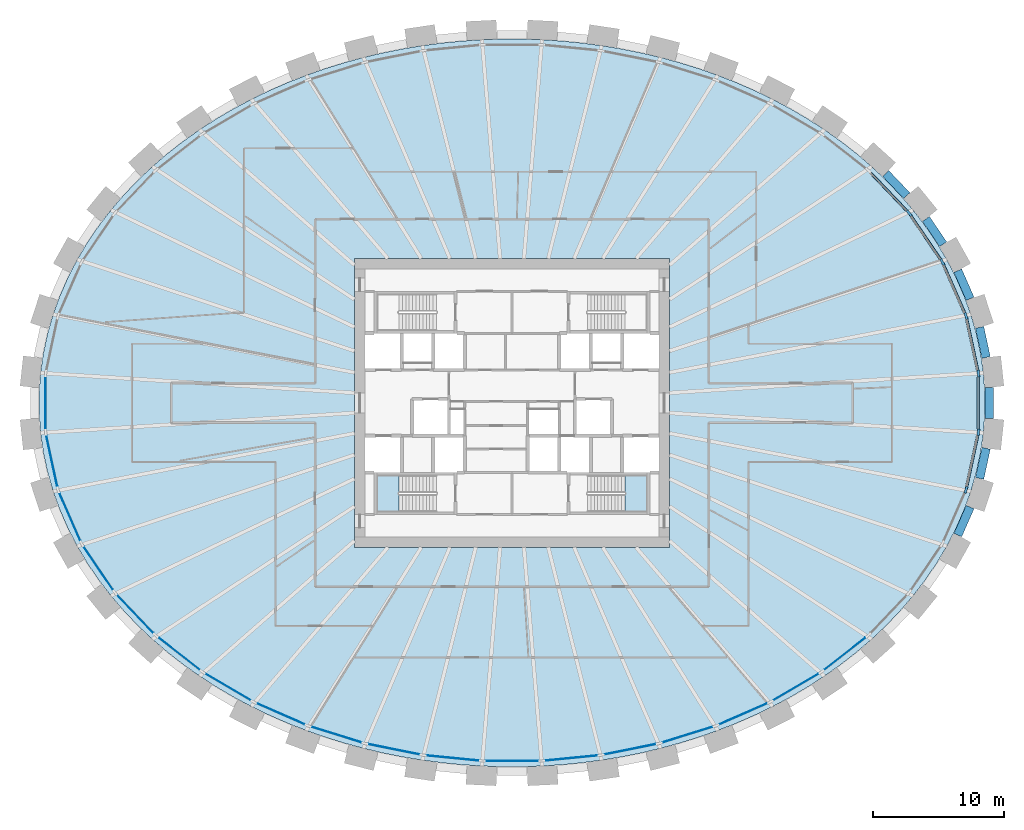
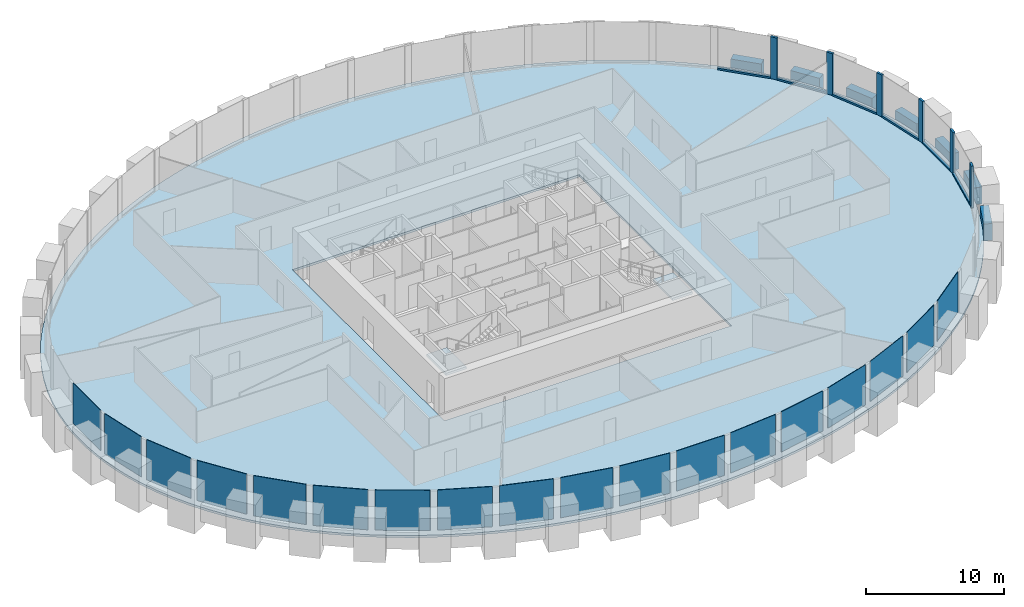
# One storey, part 4 of 11: 18 plates, 12 members, 7 beams, 3 slabs, 3 elements without a shape of their own.
"""IFC4 building model written with IfcOpenShell, lengths in metres."""

from ifc_helpers import new_model, si_unit, direction, frame, origin, origin_2d, place, context, subcontext, project, spatial, polyline, rectangle, outline, extrude, source, transform, mapped, material, layer, layer_set, material_profile, profile_set, type_object, element, aggregate, save


model = new_model("IFC4")

# Units and contexts
model_context = context("Model", 3, precision=1e-05, world=origin(), true_north=direction((0.0, 1.0)))
body_context = subcontext(model_context, "Body", "Model", "MODEL_VIEW")
ifc_project = project(units=[si_unit("LENGTHUNIT", "METRE"), si_unit("AREAUNIT", "SQUARE_METRE"), si_unit("VOLUMEUNIT", "CUBIC_METRE"), si_unit("PLANEANGLEUNIT", "RADIAN"), si_unit("MASSUNIT", "GRAM", prefix="KILO")], contexts=[model_context])

# Site, building, storey
site_placement = place(None, origin())
site = spatial("IfcSite", under=ifc_project, at=site_placement, CompositionType="ELEMENT")
building_placement = place(site_placement, origin())
building = spatial("IfcBuilding", under=site, at=building_placement, Name="Embergate Tower", CompositionType="ELEMENT")
storey_placement = place(building_placement, frame((0.0, 0.0, 187.199951171875)))
storey = spatial("IfcBuildingStorey", under=building, at=storey_placement, Name="L42", CompositionType="ELEMENT", Elevation=187.199951171875)

# Beams
ifc_material_1 = material(Name="Concrete C70", Category="concrete")
ifc_material_profile_1 = material_profile(ifc_material_1, rectangle(XDim=0.64990234375, YDim=1.5, at=origin_2d()), Name="RC 650x1500")
ifc_profile_set_1 = profile_set([ifc_material_profile_1], Name="Concrete C70")
beam_type = type_object("IfcBeamType", Name="Spandrel beam RC 650x1500 C70", PredefinedType="BEAM", material=ifc_profile_set_1)
shared_shape_1 = source(origin(), body_context, "Body", "SweptSolid", [
    extrude(rectangle(XDim=0.64990234375, YDim=1.5, at=origin_2d()), origin(), (0.0, 0.0, 1.0), 2.34375),
])
for number, where, z_axis, x_axis, name in (
    (1, (36.10791015625, 3.458984375, 0.0), (-0.210738330645, 0.977542508537, 0.0), (-0.977542508537, -0.210738330645, 0.0), "SPN-L42-00"),
    (2, (35.614013671875, -5.75, 0.0), (0.210738330645, 0.977542508537, 0.0), (-0.977542508537, 0.210738330645, 0.0), "SPN-L42-42"),
):
    element("IfcBeam", number, at=place(storey_placement, frame(where, z_axis=z_axis, x_axis=x_axis)), inside=storey, type_object=beam_type, Name=name, PredefinedType="BEAM", context=body_context, shape_type="MappedRepresentation", body=[
        mapped(shared_shape_1, transform((0.0, 0.0, 0.0))),
    ])
shared_shape_2 = source(origin(), body_context, "Body", "SweptSolid", [
    extrude(rectangle(XDim=0.64990234375, YDim=1.5, at=origin_2d()), origin(), (0.0, 0.0, 1.0), 2.3349609375),
])
for number, where, z_axis, x_axis, name in (
    (3, (34.887939453125, 7.931884765625, 0.0), (-0.401729187016, 0.915758516368, 0.0), (-0.915758516368, -0.401729187016, 0.0), "SPN-L42-01"),
    (4, (33.949951171875, -10.070068359375, 0.0), (0.401729187016, 0.915758516368, 0.0), (-0.915758516368, 0.401729187016, 0.0), "SPN-L42-41"),
):
    element("IfcBeam", number, at=place(storey_placement, frame(where, z_axis=z_axis, x_axis=x_axis)), inside=storey, type_object=beam_type, Name=name, PredefinedType="BEAM", context=body_context, shape_type="MappedRepresentation", body=[
        mapped(shared_shape_2, transform((0.0, 0.0, 0.0))),
    ])
shared_shape_3 = source(origin(), body_context, "Body", "SweptSolid", [
    extrude(rectangle(XDim=0.64990234375, YDim=1.5, at=origin_2d()), origin(), (0.0, 0.0, 1.0), 2.329345703125),
])
beam_1_placement = place(storey_placement, frame((32.8359375, 12.0830078125, 0.0), z_axis=(-0.562416089232, 0.826854366, 0.0), x_axis=(-0.826854366, -0.562416089232, 0.0)))
element("IfcBeam", 5, at=beam_1_placement, inside=storey, type_object=beam_type, Name="SPN-L42-02", PredefinedType="BEAM", context=body_context, shape_type="MappedRepresentation", body=[
    mapped(shared_shape_3, transform((0.0, 0.0, 0.0))),
])
shared_shape_4 = source(origin(), body_context, "Body", "SweptSolid", [
    extrude(rectangle(XDim=0.64990234375, YDim=1.5, at=origin_2d()), origin(), (0.0, 0.0, 1.0), 2.322265625),
])
beam_2_placement = place(storey_placement, frame((30.06591796875, 15.785888671875, 0.0), z_axis=(-0.690300694886, 0.723522598569, 0.0), x_axis=(-0.723522598569, -0.690300694886, 0.0)))
element("IfcBeam", 6, at=beam_2_placement, inside=storey, type_object=beam_type, Name="SPN-L42-03", PredefinedType="BEAM", context=body_context, shape_type="MappedRepresentation", body=[
    mapped(shared_shape_4, transform((0.0, 0.0, 0.0))),
])
shared_shape_5 = source(origin(), body_context, "Body", "SweptSolid", [
    extrude(rectangle(XDim=0.64990234375, YDim=1.5, at=origin_2d()), origin(), (0.0, 0.0, 1.0), 2.34423828125),
])
beam_3_placement = place(storey_placement, frame((36.35107421875, -1.172119140625, 0.0), z_axis=(0.0, 1.0, 0.0), x_axis=(-1.0, 0.0, 0.0)))
element("IfcBeam", 7, at=beam_3_placement, inside=storey, type_object=beam_type, Name="SPN-L42-43", PredefinedType="BEAM", context=body_context, shape_type="MappedRepresentation", body=[
    mapped(shared_shape_5, transform((0.0, 0.0, 0.0))),
])

# Curtain wall, members
ifc_material_2 = material(Name="Aluminium and glass", Category="aluminium")
curtain_wall_type = type_object("IfcCurtainWallType", Name="Recessed office glazing", PredefinedType="NOTDEFINED", material=ifc_material_2)
curtain_wall_placement = place(storey_placement, origin())
curtain_wall = element("IfcCurtainWall", 8, at=curtain_wall_placement, inside=storey, type_object=curtain_wall_type, Name="Recessed office glazing ring", ObjectType="RECESSED OFFICE GLAZING", PredefinedType="USERDEFINED")
ifc_material_3 = material(Name="Aluminium, thermally broken", Category="aluminium")
ifc_material_profile_2 = material_profile(ifc_material_3, rectangle(XDim=0.179931640625, YDim=0.52001953125, at=origin_2d()), Name="AL 520x180")
ifc_profile_set_2 = profile_set([ifc_material_profile_2], Name="Aluminium, thermally broken")
member_type_1 = type_object("IfcMemberType", Name="Office mullion", PredefinedType="MULLION", material=ifc_profile_set_2)
shared_shape_6 = source(origin(), body_context, "Body", "SweptSolid", [
    extrude(rectangle(XDim=0.179931640625, YDim=0.52001953125, at=origin_2d()), origin(), (0.0, 0.0, 1.0), 3.699951171875),
])
member_1_placement = place(storey_placement, frame((35.51806640625, 2.2392578125, 0.0), z_axis=(0.0, 0.0, 1.0), x_axis=(-0.994384954736, -0.105823257345, 0.0)))
member_1 = element("IfcMember", 9, at=member_1_placement, type_object=member_type_1, Name="CW mullion 1", PredefinedType="MULLION", context=body_context, shape_type="MappedRepresentation", body=[
    mapped(shared_shape_6, transform((0.0, 0.0, 0.0))),
])
member_2_placement = place(storey_placement, frame((34.5751953125, 6.6201171875, 0.0), z_axis=(0.0, 0.0, 1.0), x_axis=(-0.951497797992, -0.307655554826, 0.0)))
member_2 = element("IfcMember", 10, at=member_2_placement, type_object=member_type_1, Name="CW mullion 2", PredefinedType="MULLION", context=body_context, shape_type="MappedRepresentation", body=[
    mapped(shared_shape_6, transform((0.0, 0.0, 0.0))),
])
member_3_placement = place(storey_placement, frame((32.7724609375, 10.73046875, 0.0), z_axis=(0.0, 0.0, 1.0), x_axis=(-0.875002740779, -0.484117964581, 0.0)))
member_3 = element("IfcMember", 11, at=member_3_placement, type_object=member_type_1, Name="CW mullion 3", PredefinedType="MULLION", context=body_context, shape_type="MappedRepresentation", body=[
    mapped(shared_shape_6, transform((0.0, 0.0, 0.0))),
])
member_4_placement = place(storey_placement, frame((30.24365234375, 14.448974609375, 0.0), z_axis=(0.0, 0.0, 1.0), x_axis=(-0.777873661157, -0.62842069291, 0.0)))
member_4 = element("IfcMember", 12, at=member_4_placement, type_object=member_type_1, Name="CW mullion 4", PredefinedType="MULLION", context=body_context, shape_type="MappedRepresentation", body=[
    mapped(shared_shape_6, transform((0.0, 0.0, 0.0))),
])
member_5_placement = place(storey_placement, frame((34.5751953125, -6.6201171875, 0.0), z_axis=(0.0, 0.0, 1.0), x_axis=(-0.951497797992, 0.307655554826, 0.0)))
member_5 = element("IfcMember", 13, at=member_5_placement, type_object=member_type_1, Name="CW mullion 43", PredefinedType="MULLION", context=body_context, shape_type="MappedRepresentation", body=[
    mapped(shared_shape_6, transform((0.0, 0.0, 0.0))),
])
member_6_placement = place(storey_placement, frame((35.51806640625, -2.2392578125, 0.0), z_axis=(0.0, 0.0, 1.0), x_axis=(-0.994384954736, 0.105823257345, 0.0)))
member_6 = element("IfcMember", 14, at=member_6_placement, type_object=member_type_1, Name="CW mullion 44", PredefinedType="MULLION", context=body_context, shape_type="MappedRepresentation", body=[
    mapped(shared_shape_6, transform((0.0, 0.0, 0.0))),
])
ifc_material_profile_3 = material_profile(ifc_material_3, rectangle(XDim=0.179931640625, YDim=0.14990234375, at=origin_2d()), Name="AL 150x180")
ifc_profile_set_3 = profile_set([ifc_material_profile_3], Name="Aluminium, thermally broken")
member_type_2 = type_object("IfcMemberType", Name="Office sill transom", PredefinedType="USERDEFINED", material=ifc_profile_set_3)
shared_shape_7 = source(origin(), body_context, "Body", "SweptSolid", [
    extrude(rectangle(XDim=0.179931640625, YDim=0.14990234375, at=origin_2d()), origin(), (0.0, 0.0, 1.0), 3.96142578125),
])
member_7_placement = place(storey_placement, frame((35.46337890625, 2.493408203125, 0.074951171875), z_axis=(-0.210400224287, 0.977615336224, 0.0), x_axis=(-0.977615336224, -0.210400224287, 0.0)))
member_7 = element("IfcMember", 15, at=member_7_placement, type_object=member_type_2, Name="CW transom 1.1", ObjectType="TRANSOM", PredefinedType="USERDEFINED", context=body_context, shape_type="MappedRepresentation", body=[
    mapped(shared_shape_7, transform((0.0, 0.0, 0.0))),
])
member_8_placement = place(storey_placement, frame((34.6298828125, -6.3662109375, 0.074951171875), z_axis=(0.210400224287, 0.977615336224, 0.0), x_axis=(-0.977615336224, 0.210400224287, 0.0)))
member_8 = element("IfcMember", 16, at=member_8_placement, type_object=member_type_2, Name="CW transom 43.1", ObjectType="TRANSOM", PredefinedType="USERDEFINED", context=body_context, shape_type="MappedRepresentation", body=[
    mapped(shared_shape_7, transform((0.0, 0.0, 0.0))),
])
shared_shape_8 = source(origin(), body_context, "Body", "SweptSolid", [
    extrude(rectangle(XDim=0.179931640625, YDim=0.14990234375, at=origin_2d()), origin(), (0.0, 0.0, 1.0), 3.968017578125),
])
member_9_placement = place(storey_placement, frame((34.470703125, 6.8583984375, 0.074951171875), z_axis=(-0.401657873891, 0.915789797028, 0.0), x_axis=(-0.915789797028, -0.401657873891, 0.0)))
member_9 = element("IfcMember", 17, at=member_9_placement, type_object=member_type_2, Name="CW transom 2.1", ObjectType="TRANSOM", PredefinedType="USERDEFINED", context=body_context, shape_type="MappedRepresentation", body=[
    mapped(shared_shape_8, transform((0.0, 0.0, 0.0))),
])
shared_shape_9 = source(origin(), body_context, "Body", "SweptSolid", [
    extrude(rectangle(XDim=0.179931640625, YDim=0.14990234375, at=origin_2d()), origin(), (0.0, 0.0, 1.0), 3.976806640625),
])
member_10_placement = place(storey_placement, frame((32.626220703125, 10.9453125, 0.074951171875), z_axis=(-0.5623268127, 0.826915083741, 0.0), x_axis=(-0.826915083741, -0.5623268127, 0.0)))
member_10 = element("IfcMember", 18, at=member_10_placement, type_object=member_type_2, Name="CW transom 3.1", ObjectType="TRANSOM", PredefinedType="USERDEFINED", context=body_context, shape_type="MappedRepresentation", body=[
    mapped(shared_shape_9, transform((0.0, 0.0, 0.0))),
])
shared_shape_10 = source(origin(), body_context, "Body", "SweptSolid", [
    extrude(rectangle(XDim=0.179931640625, YDim=0.14990234375, at=origin_2d()), origin(), (0.0, 0.0, 1.0), 3.985595703125),
])
member_11_placement = place(storey_placement, frame((30.064208984375, 14.63720703125, 0.074951171875), z_axis=(-0.690123088355, 0.723692008329, 0.0), x_axis=(-0.723692008329, -0.690123088355, 0.0)))
member_11 = element("IfcMember", 19, at=member_11_placement, type_object=member_type_2, Name="CW transom 4.1", ObjectType="TRANSOM", PredefinedType="USERDEFINED", context=body_context, shape_type="MappedRepresentation", body=[
    mapped(shared_shape_10, transform((0.0, 0.0, 0.0))),
])
shared_shape_11 = source(origin(), body_context, "Body", "SweptSolid", [
    extrude(rectangle(XDim=0.179931640625, YDim=0.14990234375, at=origin_2d()), origin(), (0.0, 0.0, 1.0), 3.95849609375),
])
member_12_placement = place(storey_placement, frame((35.51806640625, -1.979248046875, 0.074951171875), z_axis=(0.0, 1.0, 0.0), x_axis=(-1.0, 0.0, 0.0)))
member_12 = element("IfcMember", 20, at=member_12_placement, type_object=member_type_2, Name="CW transom 44.1", ObjectType="TRANSOM", PredefinedType="USERDEFINED", context=body_context, shape_type="MappedRepresentation", body=[
    mapped(shared_shape_11, transform((0.0, 0.0, 0.0))),
])

# Slab
ifc_material_4 = material(Name="Concrete C40", Category="concrete")
ifc_layer_1 = layer(ifc_material_4, 0.199951171875)
ifc_layer_set_1 = layer_set([ifc_layer_1], Name="Concrete C40")
slab_type_1 = type_object("IfcSlabType", Name="Composite floor slab C40 200", PredefinedType="FLOOR", material=ifc_layer_set_1)
shared_shape_12 = source(origin(), body_context, "Body", "SweptSolid", [
    extrude(outline(polyline([(0.0, 0.0), (1.52392578125, 0.0), (3.0458984375, 0.050048828125), (4.570068359375, 0.14892578125), (6.0859375, 0.298095703125), (7.593017578125, 0.4970703125), (9.10205078125, 0.7470703125), (10.596923828125, 1.0458984375), (12.072021484375, 1.39501953125), (13.552001953125, 1.799072265625), (15.005859375, 2.251953125), (16.43408203125, 2.7529296875), (17.864013671875, 3.31494140625), (19.260009765625, 3.926025390625), (20.619873046875, 4.583984375), (21.97802734375, 5.30908203125), (23.291015625, 6.0810546875), (24.556884765625, 6.89892578125), (25.81494140625, 7.791015625), (27.014892578125, 8.72802734375), (28.156982421875, 9.708984375), (29.278076171875, 10.77001953125), (30.328857421875, 11.8720703125), (31.307861328125, 13.012939453125), (32.2470703125, 14.237060546875), (33.10400390625, 15.49609375), (33.875, 16.7880859375), (34.58203125, 18.155029296875), (35.19384765625, 19.550048828125), (35.7080078125, 20.967041015625), (36.133056640625, 22.43896484375), (36.452880859375, 23.927978515625), (36.66796875, 25.427001953125), (36.77587890625, 26.947021484375), (36.77587890625, 28.468994140625), (36.66796875, 29.989013671875), (36.452880859375, 31.488037109375), (36.133056640625, 32.97705078125), (35.7080078125, 34.448974609375), (35.19384765625, 35.865966796875), (34.58203125, 37.260986328125), (33.875, 38.6279296875), (33.10400390625, 39.919921875), (32.2470703125, 41.178955078125), (31.307861328125, 42.403076171875), (30.328857421875, 43.5439453125), (29.278076171875, 44.64599609375), (28.156982421875, 45.70703125), (27.014892578125, 46.68798828125), (25.81494140625, 47.625), (24.556884765625, 48.51708984375), (23.291015625, 49.3349609375), (21.97802734375, 50.10693359375), (20.619873046875, 50.83203125), (19.260009765625, 51.489990234375), (17.864013671875, 52.10107421875), (16.43408203125, 52.6630859375), (15.005859375, 53.1640625), (13.552001953125, 53.616943359375), (12.072021484375, 54.02099609375), (10.596923828125, 54.3701171875), (9.10205078125, 54.6689453125), (7.593017578125, 54.9189453125), (6.0859375, 55.117919921875), (4.570068359375, 55.26708984375), (3.0458984375, 55.365966796875), (1.52392578125, 55.416015625), (0.0, 55.416015625), (-1.52197265625, 55.365966796875), (-3.046142578125, 55.26708984375), (-4.56201171875, 55.117919921875), (-6.069091796875, 54.9189453125), (-7.578125, 54.6689453125), (-9.072998046875, 54.3701171875), (-10.548095703125, 54.02099609375), (-12.028076171875, 53.616943359375), (-13.48193359375, 53.1640625), (-14.91015625, 52.6630859375), (-16.340087890625, 52.10107421875), (-17.736083984375, 51.489990234375), (-19.095947265625, 50.83203125), (-20.4541015625, 50.10693359375), (-21.76708984375, 49.3349609375), (-23.032958984375, 48.51708984375), (-24.291015625, 47.625), (-25.490966796875, 46.68798828125), (-26.633056640625, 45.70703125), (-27.754150390625, 44.64599609375), (-28.804931640625, 43.5439453125), (-29.783935546875, 42.403076171875), (-30.72314453125, 41.178955078125), (-31.580078125, 39.919921875), (-32.35107421875, 38.6279296875), (-33.05810546875, 37.260986328125), (-33.669921875, 35.865966796875), (-34.18408203125, 34.448974609375), (-34.609130859375, 32.97705078125), (-34.928955078125, 31.488037109375), (-35.14404296875, 29.989013671875), (-35.251953125, 28.468994140625), (-35.251953125, 26.947021484375), (-35.14404296875, 25.427001953125), (-34.928955078125, 23.927978515625), (-34.609130859375, 22.43896484375), (-34.18408203125, 20.967041015625), (-33.669921875, 19.550048828125), (-33.05810546875, 18.155029296875), (-32.35107421875, 16.7880859375), (-31.580078125, 15.49609375), (-30.72314453125, 14.237060546875), (-29.783935546875, 13.012939453125), (-28.804931640625, 11.8720703125), (-27.754150390625, 10.77001953125), (-26.633056640625, 9.708984375), (-25.490966796875, 8.72802734375), (-24.291015625, 7.791015625), (-23.032958984375, 6.89892578125), (-21.76708984375, 6.0810546875), (-20.4541015625, 5.30908203125), (-19.095947265625, 4.583984375), (-17.736083984375, 3.926025390625), (-16.340087890625, 3.31494140625), (-14.91015625, 2.7529296875), (-13.48193359375, 2.251953125), (-12.028076171875, 1.799072265625), (-10.548095703125, 1.39501953125), (-9.072998046875, 1.0458984375), (-7.578125, 0.7470703125), (-6.069091796875, 0.4970703125), (-4.56201171875, 0.298095703125), (-3.046142578125, 0.14892578125), (-1.52197265625, 0.050048828125), (0.0, 0.0)]), holes=[polyline([(-11.238037109375, 16.7080078125), (-11.238037109375, 38.7080078125), (12.761962890625, 38.7080078125), (12.761962890625, 16.7080078125), (-11.238037109375, 16.7080078125)])]), origin(), (0.0, 0.0, 1.0), 0.199951171875),
])
slab_1_placement = place(storey_placement, frame((-0.761962890625, -27.7080078125, -0.199951171875)))
element("IfcSlab", 21, at=slab_1_placement, inside=storey, type_object=slab_type_1, Name="SLB-L42-00", PredefinedType="FLOOR", context=body_context, shape_type="MappedRepresentation", body=[
    mapped(shared_shape_12, transform((0.0, 0.0, 0.0))),
])

# Plate
ifc_material_5 = material(Name="Triple glazing, low-emissivity coating", Category="glass")
ifc_layer_2 = layer(ifc_material_5, 0.035888671875)
ifc_layer_set_2 = layer_set([ifc_layer_2], Name="Triple glazing, low-emissivity coating")
plate_type = type_object("IfcPlateType", Name="Office glazing unit", PredefinedType="CURTAIN_PANEL", material=ifc_layer_set_2)
shared_shape_13 = source(origin(), body_context, "Body", "SweptSolid", [
    extrude(rectangle(XDim=3.961181640625, YDim=0.035888671875, at=origin_2d()), origin(), (0.0, 0.0, 1.0), 3.550048828125),
])
plate_1_placement = place(storey_placement, frame((-35.046630859375, -4.4296875, 0.14990234375), z_axis=(0.0, 0.0, 1.0), x_axis=(0.210396684915, -0.977616097953, 0.0)))
plate_1 = element("IfcPlate", 22, at=plate_1_placement, type_object=plate_type, Name="CW panel 23.1", PredefinedType="CURTAIN_PANEL", context=body_context, shape_type="MappedRepresentation", body=[
    mapped(shared_shape_13, transform((0.0, 0.0, 0.0))),
])

shared_shape_14 = source(origin(), body_context, "Body", "SweptSolid", [
    extrude(rectangle(XDim=3.96826171875, YDim=0.035888671875, at=origin_2d()), origin(), (0.0, 0.0, 1.0), 3.550048828125),
])
plate_2_placement = place(storey_placement, frame((-33.673828125, -8.67529296875, 0.14990234375), z_axis=(0.0, 0.0, 1.0), x_axis=(0.401650502798, -0.915793029894, 0.0)))
plate_2 = element("IfcPlate", 23, at=plate_2_placement, type_object=plate_type, Name="CW panel 24.1", PredefinedType="CURTAIN_PANEL", context=body_context, shape_type="MappedRepresentation", body=[
    mapped(shared_shape_14, transform((0.0, 0.0, 0.0))),
])

shared_shape_15 = source(origin(), body_context, "Body", "SweptSolid", [
    extrude(rectangle(XDim=3.976806640625, YDim=0.035888671875, at=origin_2d()), origin(), (0.0, 0.0, 1.0), 3.550048828125),
])
plate_3_placement = place(storey_placement, frame((-31.508056640625, -12.589599609375, 0.14990234375), z_axis=(0.0, 0.0, 1.0), x_axis=(0.562340298693, -0.826905912705, 0.0)))
plate_3 = element("IfcPlate", 24, at=plate_3_placement, type_object=plate_type, Name="CW panel 25.1", PredefinedType="CURTAIN_PANEL", context=body_context, shape_type="MappedRepresentation", body=[
    mapped(shared_shape_15, transform((0.0, 0.0, 0.0))),
])

shared_shape_16 = source(origin(), body_context, "Body", "SweptSolid", [
    extrude(rectangle(XDim=3.985595703125, YDim=0.035888671875, at=origin_2d()), origin(), (0.0, 0.0, 1.0), 3.550048828125),
])
plate_4_placement = place(storey_placement, frame((-28.68896484375, -16.079345703125, 0.14990234375), z_axis=(0.0, 0.0, 1.0), x_axis=(0.6901325214, -0.723683012724, 0.0)))
plate_4 = element("IfcPlate", 25, at=plate_4_placement, type_object=plate_type, Name="CW panel 26.1", PredefinedType="CURTAIN_PANEL", context=body_context, shape_type="MappedRepresentation", body=[
    mapped(shared_shape_16, transform((0.0, 0.0, 0.0))),
])

shared_shape_17 = source(origin(), body_context, "Body", "SweptSolid", [
    extrude(rectangle(XDim=3.992919921875, YDim=0.035888671875, at=origin_2d()), origin(), (0.0, 0.0, 1.0), 3.550048828125),
])
plate_5_placement = place(storey_placement, frame((-25.35546875, -19.097900390625, 0.14990234375), z_axis=(0.0, 0.0, 1.0), x_axis=(0.788317971569, -0.615268051911, 0.0)))
plate_5 = element("IfcPlate", 26, at=plate_5_placement, type_object=plate_type, Name="CW panel 27.1", PredefinedType="CURTAIN_PANEL", context=body_context, shape_type="MappedRepresentation", body=[
    mapped(shared_shape_17, transform((0.0, 0.0, 0.0))),
])

plate_6_placement = place(storey_placement, frame((25.35546875, -19.097900390625, 0.14990234375), z_axis=(0.0, 0.0, 1.0), x_axis=(0.788317971569, 0.615268051911, 0.0)))
plate_6 = element("IfcPlate", 27, at=plate_6_placement, type_object=plate_type, Name="CW panel 39.1", PredefinedType="CURTAIN_PANEL", context=body_context, shape_type="MappedRepresentation", body=[
    mapped(shared_shape_17, transform((0.0, 0.0, 0.0))),
])

shared_shape_18 = source(origin(), body_context, "Body", "SweptSolid", [
    extrude(rectangle(XDim=3.9990234375, YDim=0.035888671875, at=origin_2d()), origin(), (0.0, 0.0, 1.0), 3.550048828125),
])
plate_7_placement = place(storey_placement, frame((-21.62890625, -21.631591796875, 0.14990234375), z_axis=(0.0, 0.0, 1.0), x_axis=(0.862051398678, -0.50682086188, 0.0)))
plate_7 = element("IfcPlate", 28, at=plate_7_placement, type_object=plate_type, Name="CW panel 28.1", PredefinedType="CURTAIN_PANEL", context=body_context, shape_type="MappedRepresentation", body=[
    mapped(shared_shape_18, transform((0.0, 0.0, 0.0))),
])

plate_8_placement = place(storey_placement, frame((21.62890625, -21.631591796875, 0.14990234375), z_axis=(0.0, 0.0, 1.0), x_axis=(0.862051398678, 0.50682086188, 0.0)))
plate_8 = element("IfcPlate", 29, at=plate_8_placement, type_object=plate_type, Name="CW panel 38.1", PredefinedType="CURTAIN_PANEL", context=body_context, shape_type="MappedRepresentation", body=[
    mapped(shared_shape_18, transform((0.0, 0.0, 0.0))),
])

shared_shape_19 = source(origin(), body_context, "Body", "SweptSolid", [
    extrude(rectangle(XDim=4.00341796875, YDim=0.035888671875, at=origin_2d()), origin(), (0.0, 0.0, 1.0), 3.550048828125),
])
plate_9_placement = place(storey_placement, frame((-17.608642578125, -23.682861328125, 0.14990234375), z_axis=(0.0, 0.0, 1.0), x_axis=(0.916234813243, -0.400641694037, 0.0)))
plate_9 = element("IfcPlate", 30, at=plate_9_placement, type_object=plate_type, Name="CW panel 29.1", PredefinedType="CURTAIN_PANEL", context=body_context, shape_type="MappedRepresentation", body=[
    mapped(shared_shape_19, transform((0.0, 0.0, 0.0))),
])

plate_10_placement = place(storey_placement, frame((17.608642578125, -23.682861328125, 0.14990234375), z_axis=(0.0, 0.0, 1.0), x_axis=(0.916234813243, 0.400641694037, 0.0)))
plate_10 = element("IfcPlate", 31, at=plate_10_placement, type_object=plate_type, Name="CW panel 37.1", PredefinedType="CURTAIN_PANEL", context=body_context, shape_type="MappedRepresentation", body=[
    mapped(shared_shape_19, transform((0.0, 0.0, 0.0))),
])

shared_shape_20 = source(origin(), body_context, "Body", "SweptSolid", [
    extrude(rectangle(XDim=4.0068359375, YDim=0.035888671875, at=origin_2d()), origin(), (0.0, 0.0, 1.0), 3.550048828125),
])
plate_11_placement = place(storey_placement, frame((-13.37548828125, -25.261962890625, 0.14990234375), z_axis=(0.0, 0.0, 1.0), x_axis=(0.954771179262, -0.297341546458, 0.0)))
plate_11 = element("IfcPlate", 32, at=plate_11_placement, type_object=plate_type, Name="CW panel 30.1", PredefinedType="CURTAIN_PANEL", context=body_context, shape_type="MappedRepresentation", body=[
    mapped(shared_shape_20, transform((0.0, 0.0, 0.0))),
])

plate_12_placement = place(storey_placement, frame((13.37548828125, -25.261962890625, 0.14990234375), z_axis=(0.0, 0.0, 1.0), x_axis=(0.954771179262, 0.297341546458, 0.0)))
plate_12 = element("IfcPlate", 33, at=plate_12_placement, type_object=plate_type, Name="CW panel 36.1", PredefinedType="CURTAIN_PANEL", context=body_context, shape_type="MappedRepresentation", body=[
    mapped(shared_shape_20, transform((0.0, 0.0, 0.0))),
])

shared_shape_21 = source(origin(), body_context, "Body", "SweptSolid", [
    extrude(rectangle(XDim=4.009033203125, YDim=0.035888671875, at=origin_2d()), origin(), (0.0, 0.0, 1.0), 3.550048828125),
])
plate_13_placement = place(storey_placement, frame((-8.994140625, -26.380126953125, 0.14990234375), z_axis=(0.0, 0.0, 1.0), x_axis=(0.980475564207, -0.196640962142, 0.0)))
plate_13 = element("IfcPlate", 34, at=plate_13_placement, type_object=plate_type, Name="CW panel 31.1", PredefinedType="CURTAIN_PANEL", context=body_context, shape_type="MappedRepresentation", body=[
    mapped(shared_shape_21, transform((0.0, 0.0, 0.0))),
])

plate_14_placement = place(storey_placement, frame((8.994140625, -26.380126953125, 0.14990234375), z_axis=(0.0, 0.0, 1.0), x_axis=(0.980475564207, 0.196640962142, 0.0)))
plate_14 = element("IfcPlate", 35, at=plate_14_placement, type_object=plate_type, Name="CW panel 35.1", PredefinedType="CURTAIN_PANEL", context=body_context, shape_type="MappedRepresentation", body=[
    mapped(shared_shape_21, transform((0.0, 0.0, 0.0))),
])

shared_shape_22 = source(origin(), body_context, "Body", "SweptSolid", [
    extrude(rectangle(XDim=4.01025390625, YDim=0.035888671875, at=origin_2d()), origin(), (0.0, 0.0, 1.0), 3.550048828125),
])
plate_15_placement = place(storey_placement, frame((-4.51953125, -27.047119140625, 0.14990234375), z_axis=(0.0, 0.0, 1.0), x_axis=(0.995203184788, -0.097829550688, 0.0)))
plate_15 = element("IfcPlate", 36, at=plate_15_placement, type_object=plate_type, Name="CW panel 32.1", PredefinedType="CURTAIN_PANEL", context=body_context, shape_type="MappedRepresentation", body=[
    mapped(shared_shape_22, transform((0.0, 0.0, 0.0))),
])

plate_16_placement = place(storey_placement, frame((4.51953125, -27.047119140625, 0.14990234375), z_axis=(0.0, 0.0, 1.0), x_axis=(0.995203184788, 0.097829550688, 0.0)))
plate_16 = element("IfcPlate", 37, at=plate_16_placement, type_object=plate_type, Name="CW panel 34.1", PredefinedType="CURTAIN_PANEL", context=body_context, shape_type="MappedRepresentation", body=[
    mapped(shared_shape_22, transform((0.0, 0.0, 0.0))),
])

shared_shape_23 = source(origin(), body_context, "Body", "SweptSolid", [
    extrude(rectangle(XDim=4.010498046875, YDim=0.035888671875, at=origin_2d()), origin(), (0.0, 0.0, 1.0), 3.550048828125),
])
plate_17_placement = place(storey_placement, frame((0.0, -27.268798828125, 0.14990234375), z_axis=(0.0, 0.0, 1.0), x_axis=(1.0, 0.0, 0.0)))
plate_17 = element("IfcPlate", 38, at=plate_17_placement, type_object=plate_type, Name="CW panel 33.1", PredefinedType="CURTAIN_PANEL", context=body_context, shape_type="MappedRepresentation", body=[
    mapped(shared_shape_23, transform((0.0, 0.0, 0.0))),
])

shared_shape_24 = source(origin(), body_context, "Body", "SweptSolid", [
    extrude(rectangle(XDim=3.95849609375, YDim=0.035888671875, at=origin_2d()), origin(), (0.0, 0.0, 1.0), 3.550048828125),
])
plate_18_placement = place(storey_placement, frame((-35.51806640625, 0.0, 0.14990234375), z_axis=(0.0, 0.0, 1.0), x_axis=(0.0, -1.0, 0.0)))
plate_18 = element("IfcPlate", 39, at=plate_18_placement, type_object=plate_type, Name="CW panel 22.1", PredefinedType="CURTAIN_PANEL", context=body_context, shape_type="MappedRepresentation", body=[
    mapped(shared_shape_24, transform((0.0, 0.0, 0.0))),
])

aggregate(curtain_wall, [member_1, member_2, member_3, member_4, member_5, member_6, member_7, member_9, member_10, member_11, plate_18, plate_1, plate_2, plate_3, plate_4, plate_5, plate_7, plate_9, plate_11, plate_13, plate_15, plate_17, plate_16, plate_14, plate_12, plate_10, plate_8, plate_6, member_8, member_12])

# Stair, slab
ifc_material_6 = material(Name="Exit stair")
stair_type = type_object("IfcStairType", Name="Exit stair", PredefinedType="HALF_TURN_STAIR", material=ifc_material_6)
stair_1_placement = place(storey_placement, origin())
stair_1 = element("IfcStair", 40, at=stair_1_placement, inside=storey, type_object=stair_type, Name="L42 Exit stair 3", PredefinedType="HALF_TURN_STAIR")
ifc_layer_3 = layer(ifc_material_4, 0.199951171875)
ifc_layer_set_3 = layer_set([ifc_layer_3], Name="Concrete C40")
slab_type_2 = type_object("IfcSlabType", Name="Stair landing reinforced concrete", PredefinedType="LANDING", material=ifc_layer_set_3)
shared_shape_25 = source(origin(), body_context, "Body", "SweptSolid", [
    extrude(outline(polyline([(0.0, 0.0), (1.68994140625, 0.0), (1.68994140625, 2.800048828125), (0.0, 2.800048828125), (0.0, 0.0)])), origin(), (0.0, 0.0, 1.0), 0.199951171875),
])
slab_2_placement = place(storey_placement, frame((-10.300048828125, -8.300048828125, 1.75)))
slab_2 = element("IfcSlab", 41, at=slab_2_placement, type_object=slab_type_2, Name="ST3 landing 1", PredefinedType="LANDING", context=body_context, shape_type="MappedRepresentation", body=[
    mapped(shared_shape_25, transform((0.0, 0.0, 0.0))),
])
aggregate(stair_1, [slab_2])

stair_2_placement = place(storey_placement, origin())
stair_2 = element("IfcStair", 42, at=stair_2_placement, inside=storey, type_object=stair_type, Name="L42 Exit stair 4", PredefinedType="HALF_TURN_STAIR")
slab_3_placement = place(storey_placement, frame((8.610107421875, -8.300048828125, 1.75)))
slab_3 = element("IfcSlab", 43, at=slab_3_placement, type_object=slab_type_2, Name="ST4 landing 1", PredefinedType="LANDING", context=body_context, shape_type="MappedRepresentation", body=[
    mapped(shared_shape_25, transform((0.0, 0.0, 0.0))),
])
aggregate(stair_2, [slab_3])

save(model, "model.ifc")
